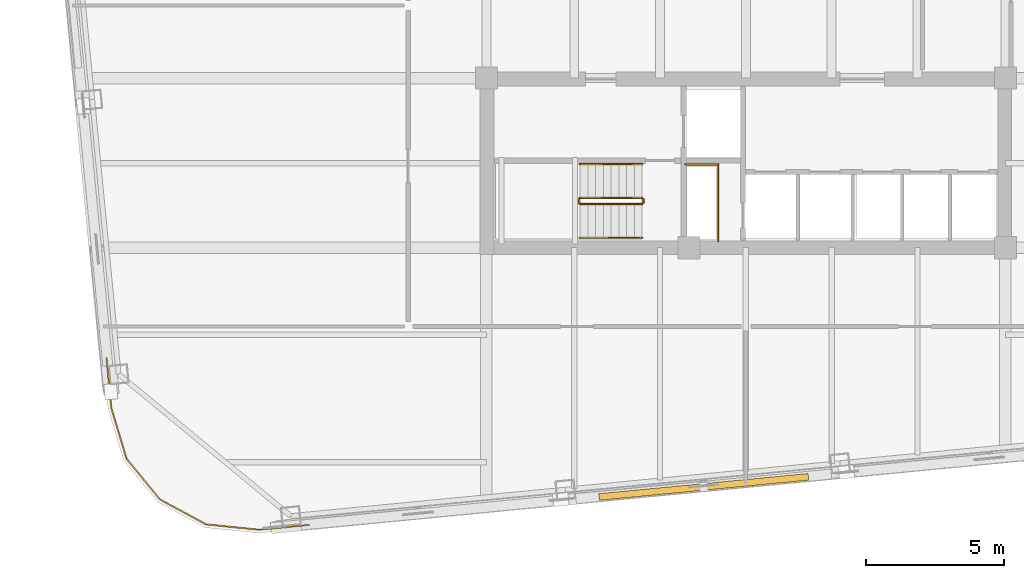
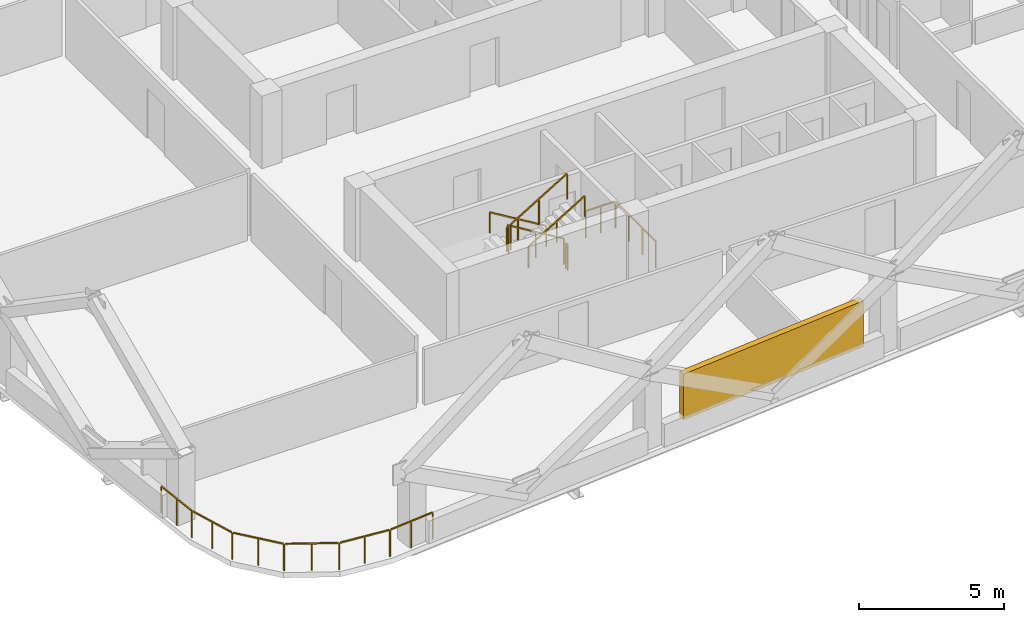
# One storey, part 7 of 9: 8 railings, 1 shading device.
"""IFC4 building model written with IfcOpenShell, lengths in metres."""

from ifc_helpers import new_model, si_unit, direction, frame, origin, origin_2d, place, context, subcontext, project, spatial, rectangle, extrude, material, type_object, element, save


model = new_model("IFC4")

# Units and contexts
model_context = context("Model", 3, precision=1e-05, world=origin(), true_north=direction((0.0, 1.0)))
body_context = subcontext(model_context, "Body", "Model", "MODEL_VIEW")
ifc_project = project(units=[si_unit("LENGTHUNIT", "METRE"), si_unit("AREAUNIT", "SQUARE_METRE"), si_unit("VOLUMEUNIT", "CUBIC_METRE"), si_unit("PLANEANGLEUNIT", "RADIAN"), si_unit("MASSUNIT", "GRAM", prefix="KILO")], contexts=[model_context])

# Site, building, storey
site_placement = place(None, origin())
site = spatial("IfcSite", under=ifc_project, at=site_placement, CompositionType="ELEMENT")
building_placement = place(site_placement, origin())
building = spatial("IfcBuilding", under=site, at=building_placement, Name="Qhalaya Broadcast Tower", CompositionType="ELEMENT")
storey_placement = place(building_placement, frame((0.0, 0.0, 180.550048828125)))
storey = spatial("IfcBuildingStorey", under=building, at=storey_placement, Name="L53", CompositionType="ELEMENT", Elevation=180.550048828125)

# Railings
ifc_material_1 = material(Name="Powder-Coated Galvanised Steel", Category="steel")
railing_type_1 = type_object("IfcRailingType", Name="Stair Wall Handrail 900", PredefinedType="HANDRAIL", material=ifc_material_1)
railing_1_placement = place(storey_placement, frame((-3.75, -5.72998046875, 0.16943359375)))
element("IfcRailing", 1, at=railing_1_placement, inside=storey, type_object=railing_type_1, Name="L53 ST-2 Stair Handrail 1", PredefinedType="HANDRAIL", context=body_context, shape_type="SweptSolid", body=[
    extrude(rectangle(XDim=0.048095703125, YDim=0.048095703125, at=origin_2d()), frame((0.0, 0.0, 0.8759765625), z_axis=(-0.855553338991, 0.0, 0.51771467445), x_axis=(0.0, -1.0, 0.0)), (0.0, 0.0, 1.0), 2.6181640625),
    extrude(rectangle(XDim=0.0419921875, YDim=0.0419921875, at=origin_2d()), origin(), (0.0, 0.0, 1.0), 0.849853515625),
    extrude(rectangle(XDim=0.0419921875, YDim=0.0419921875, at=origin_2d()), frame((-1.1201171875, 0.0, 0.677734375)), (0.0, 0.0, 1.0), 0.849853515625),
    extrude(rectangle(XDim=0.0419921875, YDim=0.0419921875, at=origin_2d()), frame((-2.239990234375, 0.0, 1.35546875)), (0.0, 0.0, 1.0), 0.849853515625),
])
railing_2_placement = place(storey_placement, frame((-5.989990234375, -8.389892578125, 1.6943359375)))
element("IfcRailing", 2, at=railing_2_placement, inside=storey, type_object=railing_type_1, Name="L53 ST-2 Stair Handrail 2", PredefinedType="HANDRAIL", context=body_context, shape_type="SweptSolid", body=[
    extrude(rectangle(XDim=0.048095703125, YDim=0.048095703125, at=origin_2d()), frame((0.0, 0.0, 0.8759765625), z_axis=(0.855512035549, 0.0, 0.517782924622), x_axis=(0.0, 1.0, 0.0)), (0.0, 0.0, 1.0), 2.618408203125),
    extrude(rectangle(XDim=0.0419921875, YDim=0.0419921875, at=origin_2d()), origin(), (0.0, 0.0, 1.0), 0.849853515625),
    extrude(rectangle(XDim=0.0419921875, YDim=0.0419921875, at=origin_2d()), frame((1.1201171875, 0.0, 0.677734375)), (0.0, 0.0, 1.0), 0.849853515625),
    extrude(rectangle(XDim=0.0419921875, YDim=0.0419921875, at=origin_2d()), frame((2.239990234375, 0.0, 1.355712890625)), (0.0, 0.0, 1.0), 0.849853515625),
])
railing_type_2 = type_object("IfcRailingType", Name="Stair Well & Landing Guardrail 1100", PredefinedType="GUARDRAIL", material=ifc_material_1)
railing_3_placement = place(storey_placement, frame((-1.0, -8.52001953125, 0.0)))
element("IfcRailing", 3, at=railing_3_placement, inside=storey, type_object=railing_type_2, Name="L53 Service Riser Opening Safety Guard SRSR", PredefinedType="GUARDRAIL", context=body_context, shape_type="SweptSolid", body=[
    extrude(rectangle(XDim=0.048095703125, YDim=0.048095703125, at=origin_2d()), frame((0.0, 0.0, 1.1259765625), z_axis=(0.0, 1.0, 0.0), x_axis=(-1.0, 0.0, 0.0)), (0.0, 0.0, 1.0), 2.751220703125),
    extrude(rectangle(XDim=0.048095703125, YDim=0.048095703125, at=origin_2d()), frame((-0.02880859375, 2.780029296875, 1.1259765625), z_axis=(-1.0, 0.0, 0.0), x_axis=(0.0, -1.0, 0.0)), (0.0, 0.0, 1.0), 1.151123046875),
    extrude(rectangle(XDim=0.0419921875, YDim=0.0419921875, at=origin_2d()), origin(), (0.0, 0.0, 1.0), 1.099853515625),
    extrude(rectangle(XDim=0.0419921875, YDim=0.0419921875, at=origin_2d()), frame((0.0, 0.9267578125, 0.0)), (0.0, 0.0, 1.0), 1.099853515625),
    extrude(rectangle(XDim=0.0419921875, YDim=0.0419921875, at=origin_2d()), frame((0.0, 1.853271484375, 0.0)), (0.0, 0.0, 1.0), 1.099853515625),
    extrude(rectangle(XDim=0.0419921875, YDim=0.0419921875, at=origin_2d()), frame((0.0, 2.780029296875, 0.0)), (0.0, 0.0, 1.0), 1.099853515625),
    extrude(rectangle(XDim=0.0419921875, YDim=0.0419921875, at=origin_2d()), frame((-0.58984375, 2.780029296875, 0.0)), (0.0, 0.0, 1.0), 1.099853515625),
    extrude(rectangle(XDim=0.0419921875, YDim=0.0419921875, at=origin_2d()), frame((-1.179931640625, 2.780029296875, 0.0)), (0.0, 0.0, 1.0), 1.099853515625),
])
railing_4_placement = place(storey_placement, frame((-3.75, -6.949951171875, 0.16943359375)))
element("IfcRailing", 4, at=railing_4_placement, inside=storey, type_object=railing_type_2, Name="L53 ST-2 Stair Guard 1", PredefinedType="GUARDRAIL", context=body_context, shape_type="SweptSolid", body=[
    extrude(rectangle(XDim=0.048095703125, YDim=0.048095703125, at=origin_2d()), frame((0.0, 0.0, 1.076171875), z_axis=(-0.855553338991, 0.0, 0.51771467445), x_axis=(0.0, -1.0, 0.0)), (0.0, 0.0, 1.0), 2.6181640625),
    extrude(rectangle(XDim=0.0419921875, YDim=0.0419921875, at=origin_2d()), origin(), (0.0, 0.0, 1.0), 1.050048828125),
    extrude(rectangle(XDim=0.0419921875, YDim=0.0419921875, at=origin_2d()), frame((-1.1201171875, 0.0, 0.677734375)), (0.0, 0.0, 1.0), 1.050048828125),
    extrude(rectangle(XDim=0.0419921875, YDim=0.0419921875, at=origin_2d()), frame((-2.239990234375, 0.0, 1.35546875)), (0.0, 0.0, 1.0), 1.050048828125),
])
railing_5_placement = place(storey_placement, frame((-6.0400390625, -7.0, 1.52490234375)))
element("IfcRailing", 5, at=railing_5_placement, inside=storey, type_object=railing_type_2, Name="L53 ST-2 Stair Guard 2", PredefinedType="GUARDRAIL", context=body_context, shape_type="SweptSolid", body=[
    extrude(rectangle(XDim=0.048095703125, YDim=0.048095703125, at=origin_2d()), frame((0.0, 0.0, 1.076171875), z_axis=(0.0, -1.0, 0.0), x_axis=(1.0, 0.0, 0.0)), (0.0, 0.0, 1.0), 0.1201171875),
    extrude(rectangle(XDim=0.0419921875, YDim=0.0419921875, at=origin_2d()), origin(), (0.0, 0.0, 1.0), 1.050048828125),
    extrude(rectangle(XDim=0.0419921875, YDim=0.0419921875, at=origin_2d()), frame((0.0, -0.1201171875, 0.0)), (0.0, 0.0, 1.0), 1.050048828125),
])
railing_6_placement = place(storey_placement, frame((-5.989990234375, -7.169921875, 1.6943359375)))
element("IfcRailing", 6, at=railing_6_placement, inside=storey, type_object=railing_type_2, Name="L53 ST-2 Stair Guard 3", PredefinedType="GUARDRAIL", context=body_context, shape_type="SweptSolid", body=[
    extrude(rectangle(XDim=0.048095703125, YDim=0.048095703125, at=origin_2d()), frame((0.0, 0.0, 1.076171875), z_axis=(0.855512035549, 0.0, 0.517782924622), x_axis=(0.0, 1.0, 0.0)), (0.0, 0.0, 1.0), 2.618408203125),
    extrude(rectangle(XDim=0.0419921875, YDim=0.0419921875, at=origin_2d()), origin(), (0.0, 0.0, 1.0), 1.050048828125),
    extrude(rectangle(XDim=0.0419921875, YDim=0.0419921875, at=origin_2d()), frame((1.1201171875, 0.0, 0.677734375)), (0.0, 0.0, 1.0), 1.050048828125),
    extrude(rectangle(XDim=0.0419921875, YDim=0.0419921875, at=origin_2d()), frame((2.239990234375, 0.0, 1.355712890625)), (0.0, 0.0, 1.0), 1.050048828125),
])
railing_7_placement = place(storey_placement, frame((-3.699951171875, -7.0, 0.0)))
element("IfcRailing", 7, at=railing_7_placement, inside=storey, type_object=railing_type_2, Name="L53 ST-2 Stair Guard 4", PredefinedType="GUARDRAIL", context=body_context, shape_type="SweptSolid", body=[
    extrude(rectangle(XDim=0.048095703125, YDim=0.048095703125, at=origin_2d()), frame((0.0, 0.0, 1.076171875), z_axis=(0.0, -1.0, 0.0), x_axis=(1.0, 0.0, 0.0)), (0.0, 0.0, 1.0), 0.1201171875),
    extrude(rectangle(XDim=0.0419921875, YDim=0.0419921875, at=origin_2d()), origin(), (0.0, 0.0, 1.0), 1.050048828125),
    extrude(rectangle(XDim=0.0419921875, YDim=0.0419921875, at=origin_2d()), frame((0.0, -0.1201171875, 0.0)), (0.0, 0.0, 1.0), 1.050048828125),
])
railing_type_3 = type_object("IfcRailingType", Name="Terrace, Sky-Pool & Lookout Glass Balustrade 1150", PredefinedType="BALUSTRADE", material=ifc_material_1)
railing_8_placement = place(storey_placement, frame((-15.790283203125, -18.766845703125, 0.0)))
element("IfcRailing", 8, at=railing_8_placement, inside=storey, type_object=railing_type_3, Name="L53 Rounded Corner Perimeter Guard 02", PredefinedType="BALUSTRADE", context=body_context, shape_type="SweptSolid", body=[
    extrude(rectangle(XDim=0.048095703125, YDim=0.048095703125, at=origin_2d()), frame((0.0, 0.0, 1.1259765625), z_axis=(-0.995397133929, -0.095836035844, 0.0), x_axis=(0.095836035844, -0.995397133929, 0.0)), (0.0, 0.0, 1.0), 1.77734375),
    extrude(rectangle(XDim=0.048095703125, YDim=0.048095703125, at=origin_2d()), frame((-1.82666015625, -0.170166015625, 1.1259765625), z_axis=(-0.994968808814, 0.100185175984, 0.0), x_axis=(-0.100185175984, -0.994968808814, 0.0)), (0.0, 0.0, 1.0), 1.857666015625),
    extrude(rectangle(XDim=0.048095703125, YDim=0.048095703125, at=origin_2d()), frame((-3.72900390625, 0.032470703125, 1.1259765625), z_axis=(-0.880932037714, 0.473242797018, 0.0), x_axis=(-0.473242797018, -0.880932037714, 0.0)), (0.0, 0.0, 1.0), 1.845458984375),
    extrude(rectangle(XDim=0.048095703125, YDim=0.048095703125, at=origin_2d()), frame((-5.3984375, 0.94189453125, 1.1259765625), z_axis=(-0.632671796541, 0.774420039683, 0.0), x_axis=(-0.774420039683, -0.632671796541, 0.0)), (0.0, 0.0, 1.0), 1.845458984375),
    extrude(rectangle(XDim=0.048095703125, YDim=0.048095703125, at=origin_2d()), frame((-6.592529296875, 2.4208984375, 1.1259765625), z_axis=(-0.288213171456, 0.95756627332, 0.0), x_axis=(-0.95756627332, -0.288213171456, 0.0)), (0.0, 0.0, 1.0), 1.857421875),
    extrude(rectangle(XDim=0.048095703125, YDim=0.048095703125, at=origin_2d()), frame((-7.138916015625, 4.256103515625, 1.1259765625), z_axis=(-0.095836035844, 0.995397133929, 0.0), x_axis=(-0.995397133929, -0.095836035844, 0.0)), (0.0, 0.0, 1.0), 1.77734375),
    extrude(rectangle(XDim=0.0419921875, YDim=0.0419921875, at=origin_2d()), origin(), (0.0, 0.0, 1.0), 1.099853515625),
    extrude(rectangle(XDim=0.0419921875, YDim=0.0419921875, at=origin_2d()), frame((-0.89892578125, -0.08642578125, 0.0)), (0.0, 0.0, 1.0), 1.099853515625),
    extrude(rectangle(XDim=0.0419921875, YDim=0.0419921875, at=origin_2d()), frame((-1.7978515625, -0.173095703125, 0.0)), (0.0, 0.0, 1.0), 1.099853515625),
    extrude(rectangle(XDim=0.0419921875, YDim=0.0419921875, at=origin_2d()), frame((-2.750732421875, -0.0771484375, 0.0)), (0.0, 0.0, 1.0), 1.099853515625),
    extrude(rectangle(XDim=0.0419921875, YDim=0.0419921875, at=origin_2d()), frame((-3.70361328125, 0.018798828125, 0.0)), (0.0, 0.0, 1.0), 1.099853515625),
    extrude(rectangle(XDim=0.0419921875, YDim=0.0419921875, at=origin_2d()), frame((-4.5419921875, 0.46923828125, 0.0)), (0.0, 0.0, 1.0), 1.099853515625),
    extrude(rectangle(XDim=0.0419921875, YDim=0.0419921875, at=origin_2d()), frame((-5.380126953125, 0.91943359375, 0.0)), (0.0, 0.0, 1.0), 1.099853515625),
    extrude(rectangle(XDim=0.0419921875, YDim=0.0419921875, at=origin_2d()), frame((-5.982177734375, 1.65625, 0.0)), (0.0, 0.0, 1.0), 1.099853515625),
    extrude(rectangle(XDim=0.0419921875, YDim=0.0419921875, at=origin_2d()), frame((-6.584228515625, 2.393310546875, 0.0)), (0.0, 0.0, 1.0), 1.099853515625),
    extrude(rectangle(XDim=0.0419921875, YDim=0.0419921875, at=origin_2d()), frame((-6.8603515625, 3.310302734375, 0.0)), (0.0, 0.0, 1.0), 1.099853515625),
    extrude(rectangle(XDim=0.0419921875, YDim=0.0419921875, at=origin_2d()), frame((-7.13623046875, 4.227294921875, 0.0)), (0.0, 0.0, 1.0), 1.099853515625),
    extrude(rectangle(XDim=0.0419921875, YDim=0.0419921875, at=origin_2d()), frame((-7.22265625, 5.126220703125, 0.0)), (0.0, 0.0, 1.0), 1.099853515625),
    extrude(rectangle(XDim=0.0419921875, YDim=0.0419921875, at=origin_2d()), frame((-7.309326171875, 6.025146484375, 0.0)), (0.0, 0.0, 1.0), 1.099853515625),
])

# Shading device
ifc_material_2 = material(Name="Fired Architectural Terracotta", Category="masonry")
shading_device_type = type_object("IfcShadingDeviceType", Name="Terracotta Baguette Solar Screen Assembly TBS-01", PredefinedType="USERDEFINED", material=ifc_material_2)
shading_device_placement = place(storey_placement, frame((-1.5244140625, -17.393310546875, 0.79248046875), z_axis=(0.0, 0.0, 1.0), x_axis=(0.995396198367, 0.09584575252, 0.0)))
element("IfcShadingDevice", 9, at=shading_device_placement, inside=storey, type_object=shading_device_type, Name="L53 Fired Terracotta Baguette Screen S", ObjectType="BAGUETTE", PredefinedType="USERDEFINED", context=body_context, shape_type="SweptSolid", body=[
    extrude(rectangle(XDim=7.60009765625, YDim=0.239990234375, at=origin_2d()), origin(), (0.0, 0.0, 1.0), 1.924072265625),
])

save(model, "model.ifc")
